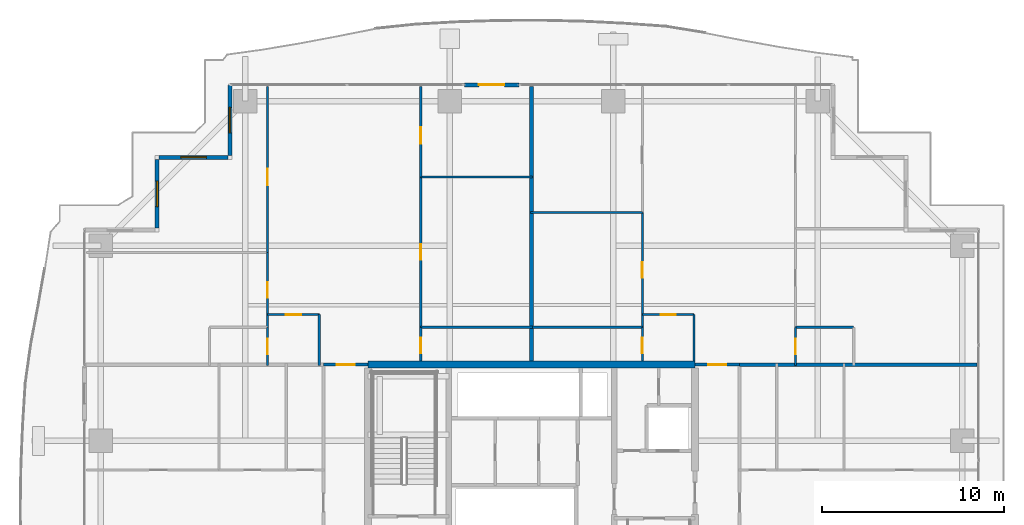
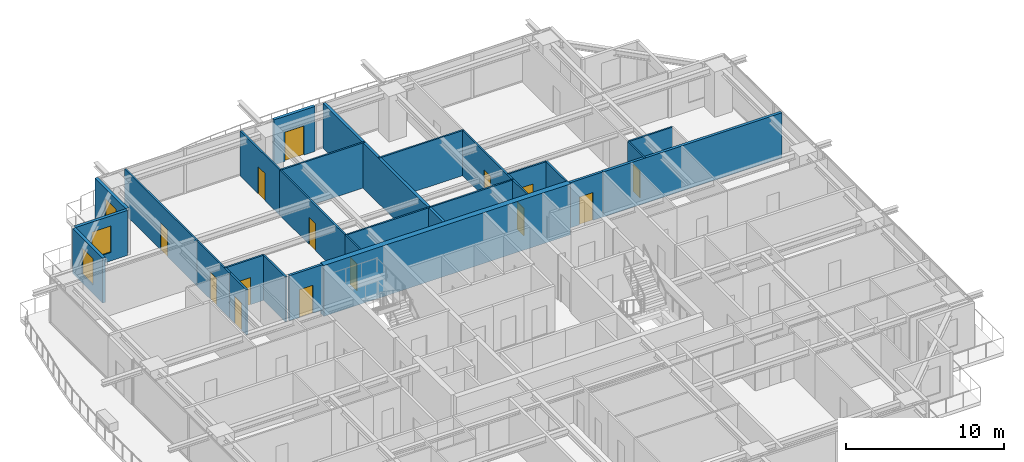
# One storey, part 31 of 38: 27 walls, 14 doors, 3 windows, 17 openings.
"""IFC4 building model written with IfcOpenShell, lengths in metres."""

from ifc_helpers import new_model, si_unit, direction, frame, frame_2d, origin, place, context, subcontext, project, spatial, rectangle, extrude, source, transform, mapped, material, layer, layer_set, type_object, element, fill, save


model = new_model("IFC4")

# Units and contexts
model_context = context("Model", 3, precision=1e-05, world=origin(), true_north=direction((0.0, 1.0)))
body_context = subcontext(model_context, "Body", "Model", "MODEL_VIEW")
ifc_project = project(units=[si_unit("LENGTHUNIT", "METRE"), si_unit("AREAUNIT", "SQUARE_METRE"), si_unit("VOLUMEUNIT", "CUBIC_METRE"), si_unit("PLANEANGLEUNIT", "RADIAN"), si_unit("MASSUNIT", "GRAM", prefix="KILO")], contexts=[model_context])

# Site, building, storey
site_placement = place(None, origin())
site = spatial("IfcSite", under=ifc_project, at=site_placement, CompositionType="ELEMENT")
building_placement = place(site_placement, origin())
building = spatial("IfcBuilding", under=site, at=building_placement, Name="Serunith Strait Residences", CompositionType="ELEMENT")
storey_placement = place(building_placement, frame((0.0, 0.0, 120.14990234375)))
storey = spatial("IfcBuildingStorey", under=building, at=storey_placement, Name="L29", CompositionType="ELEMENT", Elevation=120.14990234375)

# Wall, opening, door
ifc_material_1 = material(Name="Pale-Champagne Aluminium Insulated Panel", Category="aluminium")
ifc_layer_1 = layer(ifc_material_1, 0.219970703125, Name="Pale-Champagne Aluminium Insulated Panel")
ifc_layer_set_1 = layer_set([ifc_layer_1], Name="Pale-Champagne Aluminium Insulated Panel")
wall_type_1 = type_object("IfcWallType", Name="EW-ALUM-220", PredefinedType="ELEMENTEDWALL", material=ifc_layer_set_1)
wall_1_placement = place(storey_placement, frame((31.699951171875, 49.0, 0.0), z_axis=(0.0, 0.0, 1.0), x_axis=(-1.0, 0.0, 0.0)))
wall_1 = element("IfcWall", 1, at=wall_1_placement, inside=storey, type_object=wall_type_1, Name="L29 N Facade Pier Wall", PredefinedType="ELEMENTEDWALL", context=body_context, shape_type="SweptSolid", body=[
    extrude(rectangle(XDim=3.0, YDim=0.219970703125, at=frame_2d((1.5, 0.0))), origin(), (0.0, 0.0, 1.0), 3.47509765625),
])
opening_1_placement = place(wall_1_placement, frame((0.800048828125, 0.0, 0.0)))
opening_1 = element("IfcOpeningElement", 2, at=opening_1_placement, cuts=wall_1, Name="Opening ED-04", PredefinedType="OPENING", context=body_context, shape_type="SweptSolid", body=[
    extrude(rectangle(XDim=1.39990234375, YDim=2.25, at=frame_2d((0.699951171875, 1.125))), frame((0.0, 0.1201171875, 0.0), z_axis=(0.0, -1.0, 0.0), x_axis=(1.0, 0.0, 0.0)), (0.0, 0.0, 1.0), 0.239990234375),
])
ifc_material_2 = material(Name="Thermally-Broken Aluminium Sliding Balcony Door", Category="aluminium")
door_type_1 = type_object("IfcDoorType", Name="ED-BALC-1400", OperationType="NOTDEFINED", PredefinedType="DOOR", material=ifc_material_2)
shared_shape_1 = source(origin(), body_context, "Body", "SweptSolid", [
    extrude(rectangle(XDim=1.39990234375, YDim=2.25, at=frame_2d((0.699951171875, 1.125))), frame((0.0, 0.02490234375, 0.0), z_axis=(0.0, -1.0, 0.0), x_axis=(1.0, 0.0, 0.0)), (0.0, 0.0, 1.0), 0.050048828125),
])
door_1_placement = place(opening_1_placement, origin())
door_1 = element("IfcDoor", 3, at=door_1_placement, inside=storey, type_object=door_type_1, Name="L29 N Vertical-Forest Balcony Door", OperationType="SLIDING_TO_LEFT", OverallHeight=2.25, OverallWidth=1.39990234375, PredefinedType="DOOR", context=body_context, shape_type="MappedRepresentation", body=[
    mapped(shared_shape_1, transform((0.0, 0.0, 0.0), scale=1.0)),
])
fill(opening_1, door_1)

# Wall, opening, window
wall_2_placement = place(storey_placement, frame((15.800048828125, 49.0, 0.0), z_axis=(0.0, 0.0, 1.0), x_axis=(0.0, -1.0, 0.0)))
wall_2 = element("IfcWall", 4, at=wall_2_placement, inside=storey, type_object=wall_type_1, Name="L29 Girih Serrated Corner Wall 12", PredefinedType="ELEMENTEDWALL", context=body_context, shape_type="SweptSolid", body=[
    extrude(rectangle(XDim=3.889892578125, YDim=0.219970703125, at=frame_2d((1.94482421875, 0.0))), origin(), (0.0, 0.0, 1.0), 3.47509765625),
])
opening_2_placement = place(wall_2_placement, frame((1.2451171875, 0.0, 0.64990234375)))
opening_2 = element("IfcOpeningElement", 5, at=opening_2_placement, cuts=wall_2, Name="Opening W-03", PredefinedType="OPENING", context=body_context, shape_type="SweptSolid", body=[
    extrude(rectangle(XDim=1.39990234375, YDim=2.050048828125, at=frame_2d((0.699951171875, 1.02490234375))), frame((0.0, 0.1201171875, 0.0), z_axis=(0.0, -1.0, 0.0), x_axis=(1.0, 0.0, 0.0)), (0.0, 0.0, 1.0), 0.239990234375),
])
ifc_material_3 = material(Name="Ceramic-Fritted Operable Aluminium Window Glass", Category="aluminium")
window_type = type_object("IfcWindowType", Name="WIN-C3", PartitioningType="SINGLE_PANEL", PredefinedType="WINDOW", material=ifc_material_3)
shared_shape_2 = source(origin(), body_context, "Body", "SweptSolid", [
    extrude(rectangle(XDim=1.39990234375, YDim=2.050048828125, at=frame_2d((0.699951171875, 1.02490234375))), frame((0.0, 0.030029296875, 0.0), z_axis=(0.0, -1.0, 0.0), x_axis=(1.0, 0.0, 0.0)), (0.0, 0.0, 1.0), 0.06005859375),
])
window_1_placement = place(opening_2_placement, origin())
window_1 = element("IfcWindow", 6, at=window_1_placement, inside=storey, type_object=window_type, Name="L29 Corner Operable Fritted Window 12", OverallHeight=2.050048828125, OverallWidth=1.39990234375, PartitioningType="SINGLE_PANEL", PredefinedType="WINDOW", context=body_context, shape_type="MappedRepresentation", body=[
    mapped(shared_shape_2, transform((0.0, 0.0, 0.0), scale=1.0)),
])
fill(opening_2, window_1)

wall_3_placement = place(storey_placement, frame((15.68994140625, 45.0, 0.0), z_axis=(0.0, 0.0, 1.0), x_axis=(-1.0, 0.0, 0.0)))
wall_3 = element("IfcWall", 7, at=wall_3_placement, inside=storey, type_object=wall_type_1, Name="L29 Girih Serrated Corner Wall 13", PredefinedType="ELEMENTEDWALL", context=body_context, shape_type="SweptSolid", body=[
    extrude(rectangle(XDim=3.780029296875, YDim=0.219970703125, at=frame_2d((1.89013671875, 0.0))), origin(), (0.0, 0.0, 1.0), 3.47509765625),
])
opening_3_placement = place(wall_3_placement, frame((1.18994140625, 0.0, 0.64990234375)))
opening_3 = element("IfcOpeningElement", 8, at=opening_3_placement, cuts=wall_3, Name="Opening W-03", PredefinedType="OPENING", context=body_context, shape_type="SweptSolid", body=[
    extrude(rectangle(XDim=1.39990234375, YDim=2.050048828125, at=frame_2d((0.699951171875, 1.02490234375))), frame((0.0, 0.1201171875, 0.0), z_axis=(0.0, -1.0, 0.0), x_axis=(1.0, 0.0, 0.0)), (0.0, 0.0, 1.0), 0.239990234375),
])
window_2_placement = place(opening_3_placement, origin())
window_2 = element("IfcWindow", 9, at=window_2_placement, inside=storey, type_object=window_type, Name="L29 Corner Operable Fritted Window 13", OverallHeight=2.050048828125, OverallWidth=1.39990234375, PartitioningType="SINGLE_PANEL", PredefinedType="WINDOW", context=body_context, shape_type="MappedRepresentation", body=[
    mapped(shared_shape_2, transform((0.0, 0.0, 0.0), scale=1.0)),
])
fill(opening_3, window_2)

wall_4_placement = place(storey_placement, frame((11.800048828125, 44.889892578125, 0.0), z_axis=(0.0, 0.0, 1.0), x_axis=(0.0, -1.0, 0.0)))
wall_4 = element("IfcWall", 10, at=wall_4_placement, inside=storey, type_object=wall_type_1, Name="L29 Girih Serrated Corner Wall 14", PredefinedType="ELEMENTEDWALL", context=body_context, shape_type="SweptSolid", body=[
    extrude(rectangle(XDim=3.77978515625, YDim=0.219970703125, at=frame_2d((1.889892578125, 0.0))), origin(), (0.0, 0.0, 1.0), 3.47509765625),
])
opening_4_placement = place(wall_4_placement, frame((1.18994140625, 0.0, 0.64990234375)))
opening_4 = element("IfcOpeningElement", 11, at=opening_4_placement, cuts=wall_4, Name="Opening W-03", PredefinedType="OPENING", context=body_context, shape_type="SweptSolid", body=[
    extrude(rectangle(XDim=1.39990234375, YDim=2.050048828125, at=frame_2d((0.699951171875, 1.02490234375))), frame((0.0, 0.1201171875, 0.0), z_axis=(0.0, -1.0, 0.0), x_axis=(1.0, 0.0, 0.0)), (0.0, 0.0, 1.0), 0.239990234375),
])
window_3_placement = place(opening_4_placement, origin())
window_3 = element("IfcWindow", 12, at=window_3_placement, inside=storey, type_object=window_type, Name="L29 Corner Operable Fritted Window 14", OverallHeight=2.050048828125, OverallWidth=1.39990234375, PartitioningType="SINGLE_PANEL", PredefinedType="WINDOW", context=body_context, shape_type="MappedRepresentation", body=[
    mapped(shared_shape_2, transform((0.0, 0.0, 0.0), scale=1.0)),
])
fill(opening_4, window_3)

# Wall, opening, door
ifc_material_4 = material(Name="Fire-rated acoustic gypsum partition")
ifc_layer_2 = layer(ifc_material_4, 0.179931640625, Name="Fire-rated acoustic gypsum partition")
ifc_layer_set_2 = layer_set([ifc_layer_2], Name="Fire-rated acoustic gypsum partition")
wall_type_2 = type_object("IfcWallType", Name="IW-CORR-180", PredefinedType="PARTITIONING", material=ifc_layer_set_2)
wall_5_placement = place(storey_placement, frame((20.951904296875, 33.60009765625, 0.0), z_axis=(0.0, 0.0, 1.0), x_axis=(1.0, 0.0, 0.0)))
wall_5 = element("IfcWall", 13, at=wall_5_placement, inside=storey, type_object=wall_type_2, Name="L29 Partition Wall 029", PredefinedType="PARTITIONING", context=body_context, shape_type="SweptSolid", body=[
    extrude(rectangle(XDim=2.446044921875, YDim=0.179931640625, at=frame_2d((1.22314453125, 0.0))), origin(), (0.0, 0.0, 1.0), 3.489990234375),
])
opening_5_placement = place(wall_5_placement, frame((0.722900390625, 0.0, 0.0)))
opening_5 = element("IfcOpeningElement", 14, at=opening_5_placement, cuts=wall_5, Name="Opening D-APT1000", PredefinedType="OPENING", context=body_context, shape_type="SweptSolid", body=[
    extrude(rectangle(XDim=1.0, YDim=2.14990234375, at=frame_2d((0.5, 1.074951171875))), frame((0.0, 0.10009765625, 0.0), z_axis=(0.0, -1.0, 0.0), x_axis=(1.0, 0.0, 0.0)), (0.0, 0.0, 1.0), 0.199951171875),
])
ifc_material_5 = material(Name="Solid timber engineered fire door", Category="wood")
door_type_2 = type_object("IfcDoorType", Name="ID-APT-1000", OperationType="NOTDEFINED", PredefinedType="DOOR", material=ifc_material_5)
shared_shape_3 = source(origin(), body_context, "Body", "SweptSolid", [
    extrude(rectangle(XDim=1.0, YDim=2.14990234375, at=frame_2d((0.5, 1.074951171875))), frame((0.0, 0.02490234375, 0.0), z_axis=(0.0, -1.0, 0.0), x_axis=(1.0, 0.0, 0.0)), (0.0, 0.0, 1.0), 0.050048828125),
])
door_2_placement = place(opening_5_placement, origin())
door_2 = element("IfcDoor", 15, at=door_2_placement, inside=storey, type_object=door_type_2, Name="L29 Unit 04 Entrance Door", OperationType="SINGLE_SWING_LEFT", OverallHeight=2.14990234375, OverallWidth=1.0, PredefinedType="DOOR", context=body_context, shape_type="MappedRepresentation", body=[
    mapped(shared_shape_3, transform((0.0, 0.0, 0.0), scale=1.0)),
])
fill(opening_5, door_2)

wall_6_placement = place(storey_placement, frame((41.402099609375, 33.60009765625, 0.0), z_axis=(0.0, 0.0, 1.0), x_axis=(1.0, 0.0, 0.0)))
wall_6 = element("IfcWall", 16, at=wall_6_placement, inside=storey, type_object=wall_type_2, Name="L29 Partition Wall 030", PredefinedType="PARTITIONING", context=body_context, shape_type="SweptSolid", body=[
    extrude(rectangle(XDim=2.44580078125, YDim=0.179931640625, at=frame_2d((1.222900390625, 0.0))), origin(), (0.0, 0.0, 1.0), 3.489990234375),
])
opening_6_placement = place(wall_6_placement, frame((0.722900390625, 0.0, 0.0)))
opening_6 = element("IfcOpeningElement", 17, at=opening_6_placement, cuts=wall_6, Name="Opening D-APT1000", PredefinedType="OPENING", context=body_context, shape_type="SweptSolid", body=[
    extrude(rectangle(XDim=1.0, YDim=2.14990234375, at=frame_2d((0.5, 1.074951171875))), frame((0.0, 0.10009765625, 0.0), z_axis=(0.0, -1.0, 0.0), x_axis=(1.0, 0.0, 0.0)), (0.0, 0.0, 1.0), 0.199951171875),
])
door_3_placement = place(opening_6_placement, origin())
door_3 = element("IfcDoor", 18, at=door_3_placement, inside=storey, type_object=door_type_2, Name="L29 Unit 05 Entrance Door", OperationType="SINGLE_SWING_RIGHT", OverallHeight=2.14990234375, OverallWidth=1.0, PredefinedType="DOOR", context=body_context, shape_type="MappedRepresentation", body=[
    mapped(shared_shape_3, transform((0.0, 0.0, 0.0), scale=1.0)),
])
fill(opening_6, door_3)

ifc_material_6 = material(Name="Lightweight steel-stud gypsum partition", Category="steel")
ifc_layer_3 = layer(ifc_material_6, 0.1201171875, Name="Lightweight steel-stud gypsum partition")
ifc_layer_set_3 = layer_set([ifc_layer_3], Name="Lightweight steel-stud gypsum partition")
wall_type_3 = type_object("IfcWallType", Name="IW-PART-120", PredefinedType="PARTITIONING", material=ifc_layer_set_3)
wall_7_placement = place(storey_placement, frame((17.8701171875, 36.35009765625, 0.0), z_axis=(0.0, 0.0, 1.0), x_axis=(1.0, 0.0, 0.0)))
wall_7 = element("IfcWall", 19, at=wall_7_placement, inside=storey, type_object=wall_type_3, Name="L29 Partition Wall 068", PredefinedType="PARTITIONING", context=body_context, shape_type="SweptSolid", body=[
    extrude(rectangle(XDim=2.849853515625, YDim=0.1201171875, at=frame_2d((1.4248046875, 0.0))), origin(), (0.0, 0.0, 1.0), 3.489990234375),
])
opening_7_placement = place(wall_7_placement, frame((1.0, 0.0, 0.0)))
opening_7 = element("IfcOpeningElement", 20, at=opening_7_placement, cuts=wall_7, Name="Opening D-RM850", PredefinedType="OPENING", context=body_context, shape_type="SweptSolid", body=[
    extrude(rectangle(XDim=0.85009765625, YDim=2.10009765625, at=frame_2d((0.425048828125, 1.050048828125))), frame((0.0, 0.070068359375, 0.0), z_axis=(0.0, -1.0, 0.0), x_axis=(1.0, 0.0, 0.0)), (0.0, 0.0, 1.0), 0.14013671875),
])
ifc_material_7 = material(Name="Engineered timber flush study and kitchen door", Category="wood")
door_type_3 = type_object("IfcDoorType", Name="ID-ROOM-850", OperationType="NOTDEFINED", PredefinedType="DOOR", material=ifc_material_7)
shared_shape_4 = source(origin(), body_context, "Body", "SweptSolid", [
    extrude(rectangle(XDim=0.85009765625, YDim=2.10009765625, at=frame_2d((0.425048828125, 1.050048828125))), frame((0.0, 0.02490234375, 0.0), z_axis=(0.0, -1.0, 0.0), x_axis=(1.0, 0.0, 0.0)), (0.0, 0.0, 1.0), 0.050048828125),
])
door_4_placement = place(opening_7_placement, origin())
door_4 = element("IfcDoor", 21, at=door_4_placement, inside=storey, type_object=door_type_3, Name="L29 Kitchen 2904 Door", OperationType="SINGLE_SWING_LEFT", OverallHeight=2.10009765625, OverallWidth=0.85009765625, PredefinedType="DOOR", context=body_context, shape_type="MappedRepresentation", body=[
    mapped(shared_shape_4, transform((0.0, 0.0, 0.0), scale=1.0)),
])
fill(opening_7, door_4)

# Wall
wall_8_placement = place(storey_placement, frame((20.719970703125, 36.35009765625, 0.0), z_axis=(0.0, 0.0, 1.0), x_axis=(0.0, -1.0, 0.0)))
element("IfcWall", 22, at=wall_8_placement, inside=storey, type_object=wall_type_3, Name="L29 Partition Wall 069", PredefinedType="PARTITIONING", context=body_context, shape_type="SweptSolid", body=[
    extrude(rectangle(XDim=2.81005859375, YDim=0.1201171875, at=frame_2d((1.405029296875, 0.0))), origin(), (0.0, 0.0, 1.0), 3.489990234375),
])

# Wall, opening, door
wall_9_placement = place(storey_placement, frame((17.8701171875, 48.905029296875, 0.0), z_axis=(0.0, 0.0, 1.0), x_axis=(0.0, -1.0, 0.0)))
wall_9 = element("IfcWall", 23, at=wall_9_placement, inside=storey, type_object=wall_type_3, Name="L29 Partition Wall 070", PredefinedType="PARTITIONING", context=body_context, shape_type="SweptSolid", body=[
    extrude(rectangle(XDim=9.14013671875, YDim=0.1201171875, at=frame_2d((4.570068359375, 0.0))), origin(), (0.0, 0.0, 1.0), 3.489990234375),
])
opening_8_placement = place(wall_9_placement, frame((4.531982421875, 0.0, 0.0)))
opening_8 = element("IfcOpeningElement", 24, at=opening_8_placement, cuts=wall_9, Name="Opening D-RM900", PredefinedType="OPENING", context=body_context, shape_type="SweptSolid", body=[
    extrude(rectangle(XDim=0.89990234375, YDim=2.10009765625, at=frame_2d((0.449951171875, 1.050048828125))), frame((0.0, 0.070068359375, 0.0), z_axis=(0.0, -1.0, 0.0), x_axis=(1.0, 0.0, 0.0)), (0.0, 0.0, 1.0), 0.14013671875),
])
ifc_material_8 = material(Name="Engineered timber flush bedroom door", Category="wood")
door_type_4 = type_object("IfcDoorType", Name="ID-ROOM-900", OperationType="NOTDEFINED", PredefinedType="DOOR", material=ifc_material_8)
shared_shape_5 = source(origin(), body_context, "Body", "SweptSolid", [
    extrude(rectangle(XDim=0.89990234375, YDim=2.10009765625, at=frame_2d((0.449951171875, 1.050048828125))), frame((0.0, 0.02490234375, 0.0), z_axis=(0.0, -1.0, 0.0), x_axis=(1.0, 0.0, 0.0)), (0.0, 0.0, 1.0), 0.050048828125),
])
door_5_placement = place(opening_8_placement, origin())
door_5 = element("IfcDoor", 25, at=door_5_placement, inside=storey, type_object=door_type_4, Name="L29 Master Bedroom 1 2904 Door", OperationType="SINGLE_SWING_RIGHT", OverallHeight=2.10009765625, OverallWidth=0.89990234375, PredefinedType="DOOR", context=body_context, shape_type="MappedRepresentation", body=[
    mapped(shared_shape_5, transform((0.0, 0.0, 0.0), scale=1.0)),
])
fill(opening_8, door_5)

wall_10_placement = place(storey_placement, frame((17.8701171875, 39.762939453125, 0.0), z_axis=(0.0, 0.0, 1.0), x_axis=(0.0, -1.0, 0.0)))
wall_10 = element("IfcWall", 26, at=wall_10_placement, inside=storey, type_object=wall_type_3, Name="L29 Partition Wall 074", PredefinedType="PARTITIONING", context=body_context, shape_type="SweptSolid", body=[
    extrude(rectangle(XDim=4.113037109375, YDim=0.1201171875, at=frame_2d((2.056640625, 0.0))), origin(), (0.0, 0.0, 1.0), 3.489990234375),
])
opening_9_placement = place(wall_10_placement, frame((1.631103515625, 0.0, 0.0)))
opening_9 = element("IfcOpeningElement", 27, at=opening_9_placement, cuts=wall_10, Name="Opening D-RM850", PredefinedType="OPENING", context=body_context, shape_type="SweptSolid", body=[
    extrude(rectangle(XDim=0.85009765625, YDim=2.10009765625, at=frame_2d((0.425048828125, 1.050048828125))), frame((0.0, 0.070068359375, 0.0), z_axis=(0.0, -1.0, 0.0), x_axis=(1.0, 0.0, 0.0)), (0.0, 0.0, 1.0), 0.14013671875),
])
door_6_placement = place(opening_9_placement, origin())
door_6 = element("IfcDoor", 28, at=door_6_placement, inside=storey, type_object=door_type_3, Name="L29 Walk-in Wardrobe 2904 Door", OperationType="SINGLE_SWING_LEFT", OverallHeight=2.10009765625, OverallWidth=0.85009765625, PredefinedType="DOOR", context=body_context, shape_type="MappedRepresentation", body=[
    mapped(shared_shape_4, transform((0.0, 0.0, 0.0), scale=1.0)),
])
fill(opening_9, door_6)

wall_11_placement = place(storey_placement, frame((17.8701171875, 35.64794921875, 0.0), z_axis=(0.0, 0.0, 1.0), x_axis=(0.0, -1.0, 0.0)))
wall_11 = element("IfcWall", 29, at=wall_11_placement, inside=storey, type_object=wall_type_3, Name="L29 Partition Wall 075", PredefinedType="PARTITIONING", context=body_context, shape_type="SweptSolid", body=[
    extrude(rectangle(XDim=2.10791015625, YDim=0.1201171875, at=frame_2d((1.053955078125, 0.0))), origin(), (0.0, 0.0, 1.0), 3.489990234375),
])
opening_10_placement = place(wall_11_placement, frame((0.62890625, 0.0, 0.0)))
opening_10 = element("IfcOpeningElement", 30, at=opening_10_placement, cuts=wall_11, Name="Opening D-BTH850", PredefinedType="OPENING", context=body_context, shape_type="SweptSolid", body=[
    extrude(rectangle(XDim=0.85009765625, YDim=2.10009765625, at=frame_2d((0.425048828125, 1.050048828125))), frame((0.0, 0.070068359375, 0.0), z_axis=(0.0, -1.0, 0.0), x_axis=(1.0, 0.0, 0.0)), (0.0, 0.0, 1.0), 0.14013671875),
])
ifc_material_9 = material(Name="Moisture-resistant timber bathroom door", Category="wood")
door_type_5 = type_object("IfcDoorType", Name="ID-BATH-850", OperationType="NOTDEFINED", PredefinedType="DOOR", material=ifc_material_9)
door_7_placement = place(opening_10_placement, origin())
door_7 = element("IfcDoor", 31, at=door_7_placement, inside=storey, type_object=door_type_5, Name="L29 Bathroom 2904 Door", OperationType="SINGLE_SWING_RIGHT", OverallHeight=2.10009765625, OverallWidth=0.85009765625, PredefinedType="DOOR", context=body_context, shape_type="MappedRepresentation", body=[
    mapped(shared_shape_4, transform((0.0, 0.0, 0.0), scale=1.0)),
])
fill(opening_10, door_7)

wall_12_placement = place(storey_placement, frame((26.300048828125, 48.905029296875, 0.0), z_axis=(0.0, 0.0, 1.0), x_axis=(0.0, -1.0, 0.0)))
wall_12 = element("IfcWall", 32, at=wall_12_placement, inside=storey, type_object=wall_type_3, Name="L29 Partition Wall 076", PredefinedType="PARTITIONING", context=body_context, shape_type="SweptSolid", body=[
    extrude(rectangle(XDim=4.97607421875, YDim=0.1201171875, at=frame_2d((2.488037109375, 0.0))), origin(), (0.0, 0.0, 1.0), 3.489990234375),
])
opening_11_placement = place(wall_12_placement, frame((2.241943359375, 0.0, 0.0)))
opening_11 = element("IfcOpeningElement", 33, at=opening_11_placement, cuts=wall_12, Name="Opening D-RM900", PredefinedType="OPENING", context=body_context, shape_type="SweptSolid", body=[
    extrude(rectangle(XDim=0.89990234375, YDim=2.10009765625, at=frame_2d((0.449951171875, 1.050048828125))), frame((0.0, 0.070068359375, 0.0), z_axis=(0.0, -1.0, 0.0), x_axis=(1.0, 0.0, 0.0)), (0.0, 0.0, 1.0), 0.14013671875),
])
door_8_placement = place(opening_11_placement, origin())
door_8 = element("IfcDoor", 34, at=door_8_placement, inside=storey, type_object=door_type_4, Name="L29 Bedroom 2 2904 Door", OperationType="SINGLE_SWING_LEFT", OverallHeight=2.10009765625, OverallWidth=0.89990234375, PredefinedType="DOOR", context=body_context, shape_type="MappedRepresentation", body=[
    mapped(shared_shape_5, transform((0.0, 0.0, 0.0), scale=1.0)),
])
fill(opening_11, door_8)

# Walls
for number, where, z_axis, x_axis, name in (
    (35, (26.300048828125, 43.928955078125, 0.0), (0.0, 0.0, 1.0), (1.0, 0.0, 0.0), "L29 Partition Wall 077"),
    (36, (26.300048828125, 35.64990234375, 0.0), (0.0, 0.0, 1.0), (1.0, 0.0, 0.0), "L29 Partition Wall 078"),
):
    element("IfcWall", number, at=place(storey_placement, frame(where, z_axis=z_axis, x_axis=x_axis)), inside=storey, type_object=wall_type_3, Name=name, PredefinedType="PARTITIONING", context=body_context, shape_type="SweptSolid", body=[
        extrude(rectangle(XDim=6.159912109375, YDim=0.1201171875, at=frame_2d((3.080078125, 0.0))), origin(), (0.0, 0.0, 1.0), 3.489990234375),
    ])

# Wall, opening, door
wall_13_placement = place(storey_placement, frame((26.300048828125, 43.927001953125, 0.0), z_axis=(0.0, 0.0, 1.0), x_axis=(0.0, -1.0, 0.0)))
wall_13 = element("IfcWall", 37, at=wall_13_placement, inside=storey, type_object=wall_type_3, Name="L29 Partition Wall 079", PredefinedType="PARTITIONING", context=body_context, shape_type="SweptSolid", body=[
    extrude(rectangle(XDim=8.277099609375, YDim=0.1201171875, at=frame_2d((4.138671875, 0.0))), origin(), (0.0, 0.0, 1.0), 3.489990234375),
])
opening_12_placement = place(wall_13_placement, frame((3.714111328125, 0.0, 0.0)))
opening_12 = element("IfcOpeningElement", 38, at=opening_12_placement, cuts=wall_13, Name="Opening D-RM850", PredefinedType="OPENING", context=body_context, shape_type="SweptSolid", body=[
    extrude(rectangle(XDim=0.85009765625, YDim=2.10009765625, at=frame_2d((0.425048828125, 1.050048828125))), frame((0.0, 0.070068359375, 0.0), z_axis=(0.0, -1.0, 0.0), x_axis=(1.0, 0.0, 0.0)), (0.0, 0.0, 1.0), 0.14013671875),
])
door_9_placement = place(opening_12_placement, origin())
door_9 = element("IfcDoor", 39, at=door_9_placement, inside=storey, type_object=door_type_3, Name="L29 Walk-in Wardrobe 2904 Door", OperationType="SINGLE_SWING_RIGHT", OverallHeight=2.10009765625, OverallWidth=0.85009765625, PredefinedType="DOOR", context=body_context, shape_type="MappedRepresentation", body=[
    mapped(shared_shape_4, transform((0.0, 0.0, 0.0), scale=1.0)),
])
fill(opening_12, door_9)

wall_14_placement = place(storey_placement, frame((26.300048828125, 35.64794921875, 0.0), z_axis=(0.0, 0.0, 1.0), x_axis=(0.0, -1.0, 0.0)))
wall_14 = element("IfcWall", 40, at=wall_14_placement, inside=storey, type_object=wall_type_3, Name="L29 Partition Wall 080", PredefinedType="PARTITIONING", context=body_context, shape_type="SweptSolid", body=[
    extrude(rectangle(XDim=1.847900390625, YDim=0.1201171875, at=frame_2d((0.923828125, 0.0))), origin(), (0.0, 0.0, 1.0), 3.489990234375),
])
opening_13_placement = place(wall_14_placement, frame((0.569091796875, 0.0, 0.0)))
opening_13 = element("IfcOpeningElement", 41, at=opening_13_placement, cuts=wall_14, Name="Opening D-BTH850", PredefinedType="OPENING", context=body_context, shape_type="SweptSolid", body=[
    extrude(rectangle(XDim=0.85009765625, YDim=2.10009765625, at=frame_2d((0.425048828125, 1.050048828125))), frame((0.0, 0.070068359375, 0.0), z_axis=(0.0, -1.0, 0.0), x_axis=(1.0, 0.0, 0.0)), (0.0, 0.0, 1.0), 0.14013671875),
])
door_10_placement = place(opening_13_placement, origin())
door_10 = element("IfcDoor", 42, at=door_10_placement, inside=storey, type_object=door_type_5, Name="L29 Bathroom 2904 Door", OperationType="SINGLE_SWING_LEFT", OverallHeight=2.10009765625, OverallWidth=0.85009765625, PredefinedType="DOOR", context=body_context, shape_type="MappedRepresentation", body=[
    mapped(shared_shape_4, transform((0.0, 0.0, 0.0), scale=1.0)),
])
fill(opening_13, door_10)

wall_15_placement = place(storey_placement, frame((38.5, 36.35009765625, 0.0), z_axis=(0.0, 0.0, 1.0), x_axis=(1.0, 0.0, 0.0)))
wall_15 = element("IfcWall", 43, at=wall_15_placement, inside=storey, type_object=wall_type_3, Name="L29 Partition Wall 081", PredefinedType="PARTITIONING", context=body_context, shape_type="SweptSolid", body=[
    extrude(rectangle(XDim=2.85009765625, YDim=0.1201171875, at=frame_2d((1.425048828125, 0.0))), origin(), (0.0, 0.0, 1.0), 3.489990234375),
])
opening_14_placement = place(wall_15_placement, frame((1.0, 0.0, 0.0)))
opening_14 = element("IfcOpeningElement", 44, at=opening_14_placement, cuts=wall_15, Name="Opening D-RM850", PredefinedType="OPENING", context=body_context, shape_type="SweptSolid", body=[
    extrude(rectangle(XDim=0.85009765625, YDim=2.10009765625, at=frame_2d((0.425048828125, 1.050048828125))), frame((0.0, 0.070068359375, 0.0), z_axis=(0.0, -1.0, 0.0), x_axis=(1.0, 0.0, 0.0)), (0.0, 0.0, 1.0), 0.14013671875),
])
door_11_placement = place(opening_14_placement, origin())
door_11 = element("IfcDoor", 45, at=door_11_placement, inside=storey, type_object=door_type_3, Name="L29 Kitchen 2905 Door", OperationType="SINGLE_SWING_RIGHT", OverallHeight=2.10009765625, OverallWidth=0.85009765625, PredefinedType="DOOR", context=body_context, shape_type="MappedRepresentation", body=[
    mapped(shared_shape_4, transform((0.0, 0.0, 0.0), scale=1.0)),
])
fill(opening_14, door_11)

# Walls
wall_16_placement = place(storey_placement, frame((41.35009765625, 36.35009765625, 0.0), z_axis=(0.0, 0.0, 1.0), x_axis=(0.0, -1.0, 0.0)))
element("IfcWall", 46, at=wall_16_placement, inside=storey, type_object=wall_type_3, Name="L29 Partition Wall 082", PredefinedType="PARTITIONING", context=body_context, shape_type="SweptSolid", body=[
    extrude(rectangle(XDim=2.550048828125, YDim=0.1201171875, at=frame_2d((1.27490234375, 0.0))), origin(), (0.0, 0.0, 1.0), 3.489990234375),
])
wall_17_placement = place(storey_placement, frame((32.340087890625, 41.965087890625, 0.0), z_axis=(0.0, 0.0, 1.0), x_axis=(1.0, 0.0, 0.0)))
element("IfcWall", 47, at=wall_17_placement, inside=storey, type_object=wall_type_3, Name="L29 Partition Wall 084", PredefinedType="PARTITIONING", context=body_context, shape_type="SweptSolid", body=[
    extrude(rectangle(XDim=6.159912109375, YDim=0.1201171875, at=frame_2d((3.080078125, 0.0))), origin(), (0.0, 0.0, 1.0), 3.489990234375),
])
wall_18_placement = place(storey_placement, frame((32.4619140625, 35.64990234375, 0.0), z_axis=(0.0, 0.0, 1.0), x_axis=(1.0, 0.0, 0.0)))
element("IfcWall", 48, at=wall_18_placement, inside=storey, type_object=wall_type_3, Name="L29 Partition Wall 085", PredefinedType="PARTITIONING", context=body_context, shape_type="SweptSolid", body=[
    extrude(rectangle(XDim=6.0380859375, YDim=0.1201171875, at=frame_2d((3.01904296875, 0.0))), origin(), (0.0, 0.0, 1.0), 3.489990234375),
])

# Wall, opening, door
wall_19_placement = place(storey_placement, frame((38.5, 41.962890625, 0.0), z_axis=(0.0, 0.0, 1.0), x_axis=(0.0, -1.0, 0.0)))
wall_19 = element("IfcWall", 49, at=wall_19_placement, inside=storey, type_object=wall_type_3, Name="L29 Partition Wall 086", PredefinedType="PARTITIONING", context=body_context, shape_type="SweptSolid", body=[
    extrude(rectangle(XDim=6.31298828125, YDim=0.1201171875, at=frame_2d((3.156494140625, 0.0))), origin(), (0.0, 0.0, 1.0), 3.489990234375),
])
opening_15_placement = place(wall_19_placement, frame((2.73193359375, 0.0, 0.0)))
opening_15 = element("IfcOpeningElement", 50, at=opening_15_placement, cuts=wall_19, Name="Opening D-RM850", PredefinedType="OPENING", context=body_context, shape_type="SweptSolid", body=[
    extrude(rectangle(XDim=0.85009765625, YDim=2.10009765625, at=frame_2d((0.425048828125, 1.050048828125))), frame((0.0, 0.070068359375, 0.0), z_axis=(0.0, -1.0, 0.0), x_axis=(1.0, 0.0, 0.0)), (0.0, 0.0, 1.0), 0.14013671875),
])
door_12_placement = place(opening_15_placement, origin())
door_12 = element("IfcDoor", 51, at=door_12_placement, inside=storey, type_object=door_type_3, Name="L29 Walk-in Wardrobe 2905 Door", OperationType="SINGLE_SWING_RIGHT", OverallHeight=2.10009765625, OverallWidth=0.85009765625, PredefinedType="DOOR", context=body_context, shape_type="MappedRepresentation", body=[
    mapped(shared_shape_4, transform((0.0, 0.0, 0.0), scale=1.0)),
])
fill(opening_15, door_12)

wall_20_placement = place(storey_placement, frame((38.5, 35.64794921875, 0.0), z_axis=(0.0, 0.0, 1.0), x_axis=(0.0, -1.0, 0.0)))
wall_20 = element("IfcWall", 52, at=wall_20_placement, inside=storey, type_object=wall_type_3, Name="L29 Partition Wall 087", PredefinedType="PARTITIONING", context=body_context, shape_type="SweptSolid", body=[
    extrude(rectangle(XDim=1.847900390625, YDim=0.1201171875, at=frame_2d((0.923828125, 0.0))), origin(), (0.0, 0.0, 1.0), 3.489990234375),
])
opening_16_placement = place(wall_20_placement, frame((0.569091796875, 0.0, 0.0)))
opening_16 = element("IfcOpeningElement", 53, at=opening_16_placement, cuts=wall_20, Name="Opening D-BTH850", PredefinedType="OPENING", context=body_context, shape_type="SweptSolid", body=[
    extrude(rectangle(XDim=0.85009765625, YDim=2.10009765625, at=frame_2d((0.425048828125, 1.050048828125))), frame((0.0, 0.070068359375, 0.0), z_axis=(0.0, -1.0, 0.0), x_axis=(1.0, 0.0, 0.0)), (0.0, 0.0, 1.0), 0.14013671875),
])
door_13_placement = place(opening_16_placement, origin())
door_13 = element("IfcDoor", 54, at=door_13_placement, inside=storey, type_object=door_type_5, Name="L29 Bathroom 2905 Door", OperationType="SINGLE_SWING_LEFT", OverallHeight=2.10009765625, OverallWidth=0.85009765625, PredefinedType="DOOR", context=body_context, shape_type="MappedRepresentation", body=[
    mapped(shared_shape_4, transform((0.0, 0.0, 0.0), scale=1.0)),
])
fill(opening_16, door_13)

# Wall
wall_21_placement = place(storey_placement, frame((46.929931640625, 35.64990234375, 0.0), z_axis=(0.0, 0.0, 1.0), x_axis=(1.0, 0.0, 0.0)))
element("IfcWall", 55, at=wall_21_placement, inside=storey, type_object=wall_type_3, Name="L29 Partition Wall 090", PredefinedType="PARTITIONING", context=body_context, shape_type="SweptSolid", body=[
    extrude(rectangle(XDim=3.199951171875, YDim=0.1201171875, at=frame_2d((1.60009765625, 0.0))), origin(), (0.0, 0.0, 1.0), 3.489990234375),
])

# Wall, opening, door
wall_22_placement = place(storey_placement, frame((46.929931640625, 35.64794921875, 0.0), z_axis=(0.0, 0.0, 1.0), x_axis=(0.0, -1.0, 0.0)))
wall_22 = element("IfcWall", 56, at=wall_22_placement, inside=storey, type_object=wall_type_3, Name="L29 Partition Wall 093", PredefinedType="PARTITIONING", context=body_context, shape_type="SweptSolid", body=[
    extrude(rectangle(XDim=2.10791015625, YDim=0.1201171875, at=frame_2d((1.053955078125, 0.0))), origin(), (0.0, 0.0, 1.0), 3.489990234375),
])
opening_17_placement = place(wall_22_placement, frame((0.62890625, 0.0, 0.0)))
opening_17 = element("IfcOpeningElement", 57, at=opening_17_placement, cuts=wall_22, Name="Opening D-BTH850", PredefinedType="OPENING", context=body_context, shape_type="SweptSolid", body=[
    extrude(rectangle(XDim=0.85009765625, YDim=2.10009765625, at=frame_2d((0.425048828125, 1.050048828125))), frame((0.0, 0.070068359375, 0.0), z_axis=(0.0, -1.0, 0.0), x_axis=(1.0, 0.0, 0.0)), (0.0, 0.0, 1.0), 0.14013671875),
])
door_14_placement = place(opening_17_placement, origin())
door_14 = element("IfcDoor", 58, at=door_14_placement, inside=storey, type_object=door_type_5, Name="L29 Bathroom 2905 Door", OperationType="SINGLE_SWING_RIGHT", OverallHeight=2.10009765625, OverallWidth=0.85009765625, PredefinedType="DOOR", context=body_context, shape_type="MappedRepresentation", body=[
    mapped(shared_shape_4, transform((0.0, 0.0, 0.0), scale=1.0)),
])
fill(opening_17, door_14)

# Walls
ifc_material_10 = material(Name="Twin-stud acoustic gypsum board partition")
ifc_layer_4 = layer(ifc_material_10, 0.199951171875, Name="Twin-stud acoustic gypsum board partition")
ifc_layer_set_4 = layer_set([ifc_layer_4], Name="Twin-stud acoustic gypsum board partition")
wall_type_4 = type_object("IfcWallType", Name="IW-PARTY-200", PredefinedType="PARTITIONING", material=ifc_layer_set_4)
wall_23_placement = place(storey_placement, frame((32.39990234375, 33.800048828125, 0.0), z_axis=(0.0, 0.0, 1.0), x_axis=(0.0, 1.0, 0.0)))
element("IfcWall", 59, at=wall_23_placement, inside=storey, type_object=wall_type_4, Name="L29 Partition Wall 019", PredefinedType="PARTITIONING", context=body_context, shape_type="SweptSolid", body=[
    extrude(rectangle(XDim=15.117919921875, YDim=0.199951171875, at=frame_2d((7.55908203125, 0.0))), origin(), (0.0, 0.0, 1.0), 3.489990234375),
])
wall_24_placement = place(storey_placement, frame((43.85009765625, 33.60009765625, 0.0), z_axis=(0.0, 0.0, 1.0), x_axis=(1.0, 0.0, 0.0)))
element("IfcWall", 60, at=wall_24_placement, inside=storey, type_object=wall_type_4, Name="L29 Partition Wall 025", PredefinedType="PARTITIONING", context=body_context, shape_type="SweptSolid", body=[
    extrude(rectangle(XDim=13.06787109375, YDim=0.199951171875, at=frame_2d((6.533935546875, 0.0))), origin(), (0.0, 0.0, 1.0), 3.489990234375),
])
ifc_material_11 = material(Name="Concrete C70/85", Category="concrete")
ifc_layer_5 = layer(ifc_material_11, 0.39990234375, Name="Concrete C70/85")
ifc_layer_set_5 = layer_set([ifc_layer_5], Name="Concrete C70/85")
wall_type_5 = type_object("IfcWallType", Name="SW-400-C70", PredefinedType="SHEAR", material=ifc_layer_set_5)
wall_25_placement = place(storey_placement, frame((41.39990234375, 33.60009765625, -0.43994140625), z_axis=(0.0, 0.0, 1.0), x_axis=(-1.0, 0.0, 0.0)))
element("IfcWall", 61, at=wall_25_placement, inside=storey, type_object=wall_type_5, Name="L29 Core North Shear Wall", PredefinedType="SHEAR", context=body_context, shape_type="SweptSolid", body=[
    extrude(rectangle(XDim=18.0, YDim=0.39990234375, at=frame_2d((9.0, 0.0))), origin(), (0.0, 0.0, 1.0), 3.927978515625),
])

save(model, "model.ifc")
